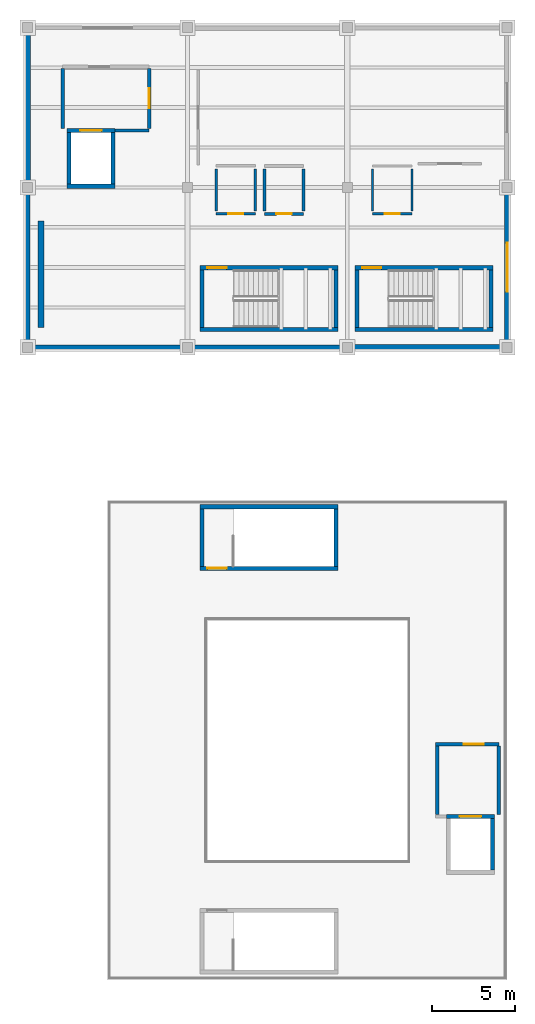
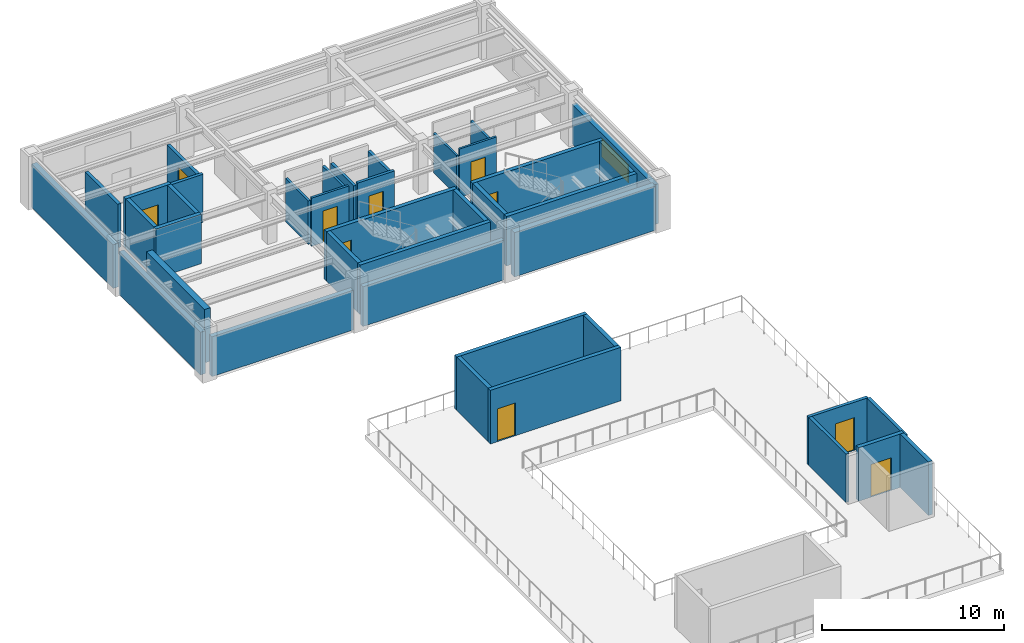
# One storey, part 2 of 6: 40 walls, 10 doors, 1 window, 11 openings.
"""IFC4 building model written with IfcOpenShell, lengths in metres."""

import ifcopenshell
import ifcopenshell.guid

model = None  # the IFC model being written
_history = None  # IfcOwnerHistory: only IFC2X3 demands one
_inside = {}  # id of a spatial element -> (the spatial element, [elements in it])
_under = {}  # id of a project, library or spatial element -> (it, [spatial elements below it])
_declared = {}  # id of a project -> (the project, [libraries it declares])
_typed = {}  # id of a type object -> (the type object, [elements of that type])
_made_of = {}  # id of a material, layer set ... -> (it, [elements and type objects made of it])


def new_model(schema):
    """Start an empty IFC model of exactly this schema.

    Asked for "IFC4X3", IfcOpenShell would pick the latest addendum, in which some entities
    have other attributes; the version numbers below select the first issue.
    IFC2X3 requires an IfcOwnerHistory on every rooted entity: one is made here for all.
    """
    global model, _history
    if schema == "IFC4X3":
        model = ifcopenshell.file(schema_version=(4, 3, 0, 0))
    else:
        model = ifcopenshell.file(schema=schema)
    _inside.clear()
    _under.clear()
    _declared.clear()
    _typed.clear()
    _made_of.clear()
    _history = None
    if model.schema == "IFC2X3":
        org = make("IfcOrganization", Name="unknown")
        user = make(
            "IfcPersonAndOrganization",
            ThePerson=make("IfcPerson", FamilyName="unknown"),
            TheOrganization=org,
        )
        app = make(
            "IfcApplication",
            ApplicationDeveloper=org,
            Version="unknown",
            ApplicationFullName="unknown",
            ApplicationIdentifier="unknown",
        )
        _history = make(
            "IfcOwnerHistory",
            OwningUser=user,
            OwningApplication=app,
            ChangeAction="ADDED",
            CreationDate=0,
        )
    return model


def make(cls, **values):
    """One entity of the class cls with the attributes given. An attribute that is None is left unset."""
    return model.create_entity(
        cls, **{name: value for name, value in values.items() if value is not None}
    )


def rooted(cls, **values):
    """An entity with a GlobalId (a new one), such as an element, a storey or a relation."""
    return make(cls, GlobalId=ifcopenshell.guid.new(), OwnerHistory=_history, **values)


def si_unit(unit_type, name, prefix=None):
    """IfcSIUnit, for example si_unit("LENGTHUNIT", "METRE", prefix="MILLI")."""
    return make("IfcSIUnit", UnitType=unit_type, Prefix=prefix, Name=name)


def assignment(units):
    """IfcUnitAssignment: the units of a project."""
    return None if units is None else make("IfcUnitAssignment", Units=units)


def point(xyz):
    """IfcCartesianPoint."""
    return None if xyz is None else make("IfcCartesianPoint", Coordinates=xyz)


def direction(xyz):
    """IfcDirection."""
    return None if xyz is None else make("IfcDirection", DirectionRatios=xyz)


def frame(location, z_axis=None, x_axis=None):
    """IfcAxis2Placement3D, a coordinate frame: its origin and axes. An axis left out is left unset."""
    return make(
        "IfcAxis2Placement3D",
        Location=point(location),
        Axis=direction(z_axis),
        RefDirection=direction(x_axis),
    )


def frame_2d(location, x_axis=None):
    """IfcAxis2Placement2D, a coordinate frame in the plane: its origin and x axis."""
    return make(
        "IfcAxis2Placement2D", Location=point(location), RefDirection=direction(x_axis)
    )


def origin():
    """The frame at (0, 0, 0) with its axes left unset."""
    return frame((0.0, 0.0, 0.0))


def place(relative_to, where):
    """IfcLocalPlacement: puts the frame where relative to a parent placement (None: the world)."""
    return make(
        "IfcLocalPlacement", PlacementRelTo=relative_to, RelativePlacement=where
    )


def context(
    kind, dimensions, precision=None, world=None, true_north=None, identifier=None
):
    """IfcGeometricRepresentationContext, for example the 3D "Model" context."""
    return make(
        "IfcGeometricRepresentationContext",
        ContextIdentifier=identifier,
        ContextType=kind,
        CoordinateSpaceDimension=dimensions,
        Precision=precision,
        WorldCoordinateSystem=world,
        TrueNorth=true_north,
    )


def subcontext(parent, identifier, kind, view, scale=None):
    """IfcGeometricRepresentationSubContext, for example "Body" below "Model"."""
    return make(
        "IfcGeometricRepresentationSubContext",
        ContextIdentifier=identifier,
        ContextType=kind,
        ParentContext=parent,
        TargetScale=scale,
        TargetView=view,
    )


def project(units=None, contexts=None):
    """IfcProject with its units and contexts."""
    return rooted(
        "IfcProject",
        Name="project",
        RepresentationContexts=contexts,
        UnitsInContext=assignment(units),
    )


def spatial(cls, under=None, at=None, **own):
    """A site, building, storey or space (cls), placed at a placement, below another one or the project."""
    s = rooted(cls, ObjectPlacement=at, **own)
    if under is not None:
        _under.setdefault(under.id(), (under, []))[1].append(s)
    return s


def profile(cls, at=None, kind="AREA", **sizes):
    """A parametric profile (cls). Its sizes go by their IFC names, for example OverallWidth=200.0."""
    return make(cls, ProfileType=kind, Position=at, **sizes)


def rectangle(**sizes):
    """IfcRectangleProfileDef."""
    return profile("IfcRectangleProfileDef", **sizes)


def extrude(swept, where, along, depth):
    """IfcExtrudedAreaSolid: the profile swept, set in the frame where, extruded along a direction by depth."""
    return make(
        "IfcExtrudedAreaSolid",
        SweptArea=swept,
        Position=where,
        ExtrudedDirection=direction(along),
        Depth=depth,
    )


def shape(context_of_items, identifier, shape_type, items):
    """IfcShapeRepresentation: the items that make up one representation, for example the "Body"."""
    return make(
        "IfcShapeRepresentation",
        ContextOfItems=context_of_items,
        RepresentationIdentifier=identifier,
        RepresentationType=shape_type,
        Items=items,
    )


def material(Name=None, Category=None):
    """IfcMaterial."""
    return make("IfcMaterial", Name=Name, Category=Category)


def layer(
    of_material, thickness, ventilated=None, Name=None, Category=None, Priority=None
):
    """IfcMaterialLayer: one layer of a wall or slab, of a material (None: an air gap)."""
    return make(
        "IfcMaterialLayer",
        Material=of_material,
        LayerThickness=thickness,
        IsVentilated=ventilated,
        Name=Name,
        Category=Category,
        Priority=Priority,
    )


def layer_set(layers, Name=None):
    """IfcMaterialLayerSet."""
    return make("IfcMaterialLayerSet", MaterialLayers=layers, LayerSetName=Name)


def made_of(thing, what):
    """Note that an element or type object is made of a material, layer set ...; save() writes the relation."""
    if what is not None:
        _made_of.setdefault(what.id(), (what, []))[1].append(thing)
    return thing


def type_object(cls, material=None, **own):
    """A type object (cls), such as IfcWallType, which elements share."""
    return made_of(rooted(cls, **own), material)


def element(
    cls,
    number,
    at=None,
    inside=None,
    cuts=None,
    type_object=None,
    material=None,
    context=None,
    identifier="Body",
    shape_type=None,
    held_by="IfcProductDefinitionShape",
    body=None,
    shapes=None,
    **own,
):
    """One element of the class cls, such as IfcWall. Its Tag is "e" and its number.

    at: its placement. inside: the storey or other place that contains it. cuts: it is an
    opening in that element (IfcRelVoidsElement). A single representation is given by context,
    identifier, shape_type and body (its items); several are given by shapes. held_by: the class
    of the entity that holds the representations. save() writes the other relations.
    """
    e = rooted(cls, Tag="e%d" % number, ObjectPlacement=at, **own)
    if body is not None:
        shapes = [shape(context, identifier, shape_type, body)]
    if shapes is not None:
        e.Representation = make(held_by, Representations=shapes)
    if inside is not None:
        _inside.setdefault(inside.id(), (inside, []))[1].append(e)
    if cuts is not None:
        rooted(
            "IfcRelVoidsElement", RelatingBuildingElement=cuts, RelatedOpeningElement=e
        )
    if type_object is not None:
        _typed.setdefault(type_object.id(), (type_object, []))[1].append(e)
    return made_of(e, material)


def fill(opening, filler):
    """IfcRelFillsElement: the door or window that sits in an opening."""
    return rooted(
        "IfcRelFillsElement",
        RelatingOpeningElement=opening,
        RelatedBuildingElement=filler,
    )


def aggregate(whole, parts):
    """IfcRelAggregates: a whole, such as a stair, and the parts it consists of."""
    return rooted("IfcRelAggregates", RelatingObject=whole, RelatedObjects=parts)


def save(model, path):
    """Write the relations noted so far, then the file.

    IfcRelAggregates (storeys below a building ...), IfcRelContainedInSpatialStructure (elements
    in a storey), IfcRelDefinesByType, IfcRelAssociatesMaterial and IfcRelDeclares: one each for
    every whole, place, type object, material and project.
    """
    for whole, parts in _under.values():
        aggregate(whole, parts)
    for where, things in _inside.values():
        rooted(
            "IfcRelContainedInSpatialStructure",
            RelatedElements=things,
            RelatingStructure=where,
        )
    for kind, things in _typed.values():
        rooted("IfcRelDefinesByType", RelatedObjects=things, RelatingType=kind)
    for what, things in _made_of.values():
        rooted("IfcRelAssociatesMaterial", RelatedObjects=things, RelatingMaterial=what)
    for by, libraries in _declared.values():
        rooted("IfcRelDeclares", RelatingContext=by, RelatedDefinitions=libraries)
    model.write(path)


model = new_model("IFC4")

# Units and contexts
model_context = context("Model", 3, precision=1e-05, world=origin(), true_north=direction((0.0, 1.0)))
body_context = subcontext(model_context, "Body", "Model", "MODEL_VIEW")
ifc_project = project(units=[si_unit("LENGTHUNIT", "METRE"), si_unit("AREAUNIT", "SQUARE_METRE"), si_unit("VOLUMEUNIT", "CUBIC_METRE"), si_unit("PLANEANGLEUNIT", "RADIAN"), si_unit("MASSUNIT", "GRAM", prefix="KILO")], contexts=[model_context])

# Site, building, storey
site_placement = place(None, origin())
site = spatial("IfcSite", under=ifc_project, at=site_placement, CompositionType="ELEMENT")
building_placement = place(site_placement, origin())
building = spatial("IfcBuilding", under=site, at=building_placement, Name="Mavantir Sound Aquarium", CompositionType="ELEMENT")
storey_placement = place(building_placement, frame((0.0, 0.0, 19.800048828125)))
storey = spatial("IfcBuildingStorey", under=building, at=storey_placement, Name="L04", CompositionType="ELEMENT", Elevation=19.800048828125)

# Wall, opening, window
ifc_material_1 = material(Name="Coral-Buff Architectural Precast Concrete C40/50", Category="concrete")
ifc_layer_1 = layer(ifc_material_1, 0.31005859375, Name="Coral-Buff Architectural Precast Concrete C40/50")
ifc_layer_set_1 = layer_set([ifc_layer_1], Name="Coral-Buff Architectural Precast Concrete C40/50")
wall_type_1 = type_object("IfcWallType", Name="EW-CORAL-310", PredefinedType="SOLIDWALL", material=ifc_layer_set_1)
wall_1_placement = place(storey_placement, frame((28.800048828125, 83.907958984375, 0.0), z_axis=(0.0, 0.0, 1.0), x_axis=(0.0, 1.0, 0.0)))
wall_1 = element("IfcWall", 1, at=wall_1_placement, inside=storey, type_object=wall_type_1, Name="L04 exterior facade wall EW-02 386", PredefinedType="SOLIDWALL", context=body_context, shape_type="SweptSolid", body=[
    extrude(rectangle(XDim=8.984130859375, YDim=0.31005859375, at=frame_2d((4.4921875, 0.0))), origin(), (0.0, 0.0, 1.0), 2.674072265625),
])
opening_1_placement = place(wall_1_placement, frame((3.01708984375, 0.0, 0.949951171875)))
opening_1 = element("IfcOpeningElement", 2, at=opening_1_placement, cuts=wall_1, Name="Opening W-41", PredefinedType="OPENING", context=body_context, shape_type="SweptSolid", body=[
    extrude(rectangle(XDim=2.949951171875, YDim=1.199951171875, at=frame_2d((1.47509765625, 0.60009765625))), frame((0.0, 0.1650390625, 0.0), z_axis=(0.0, -1.0, 0.0), x_axis=(1.0, 0.0, 0.0)), (0.0, 0.0, 1.0), 0.330078125),
])
ifc_material_2 = material(Name="Thermally Broken Aluminium and Low-E Glass", Category="aluminium")
window_type = type_object("IfcWindowType", Name="WIN-EXT-41", PartitioningType="TRIPLE_PANEL_VERTICAL", PredefinedType="WINDOW", material=ifc_material_2)
window_placement = place(opening_1_placement, origin())
window = element("IfcWindow", 3, at=window_placement, inside=storey, type_object=window_type, Name="L04 facade window W-41 185", OverallHeight=1.199951171875, OverallWidth=2.949951171875, PartitioningType="SINGLE_PANEL", PredefinedType="WINDOW", context=body_context, shape_type="SweptSolid", body=[
    extrude(rectangle(XDim=2.949951171875, YDim=1.199951171875, at=frame_2d((1.47509765625, 0.60009765625))), frame((0.0, 0.030029296875, 0.0), z_axis=(0.0, -1.0, 0.0), x_axis=(1.0, 0.0, 0.0)), (0.0, 0.0, 1.0), 0.06005859375),
])
fill(opening_1, window)

# Walls
wall_2_placement = place(storey_placement, frame((0.0, 92.89208984375, 0.0), z_axis=(0.0, 0.0, 1.0), x_axis=(0.0, -1.0, 0.0)))
element("IfcWall", 4, at=wall_2_placement, inside=storey, type_object=wall_type_1, Name="L04 exterior facade wall EW-02 392", PredefinedType="SOLIDWALL", context=body_context, shape_type="SweptSolid", body=[
    extrude(rectangle(XDim=8.984130859375, YDim=0.31005859375, at=frame_2d((4.4921875, 0.0))), origin(), (0.0, 0.0, 1.0), 2.868896484375),
])
ifc_layer_2 = layer(ifc_material_1, 0.340087890625, Name="Coral-Buff Architectural Precast Concrete C40/50")
ifc_layer_set_2 = layer_set([ifc_layer_2], Name="Coral-Buff Architectural Precast Concrete C40/50")
wall_type_2 = type_object("IfcWallType", Name="EW-CORAL-340", PredefinedType="SOLIDWALL", material=ifc_layer_set_2)
wall_3_placement = place(storey_placement, frame((0.0, 102.491943359375, 0.0), z_axis=(0.0, 0.0, 1.0), x_axis=(0.0, -1.0, 0.0)))
element("IfcWall", 5, at=wall_3_placement, inside=storey, type_object=wall_type_2, Name="L04 exterior facade wall EW-01 391", PredefinedType="SOLIDWALL", context=body_context, shape_type="SweptSolid", body=[
    extrude(rectangle(XDim=8.98388671875, YDim=0.340087890625, at=frame_2d((4.491943359375, 0.0))), origin(), (0.0, 0.0, 1.0), 2.932861328125),
])
ifc_layer_3 = layer(ifc_material_1, 0.360107421875, Name="Coral-Buff Architectural Precast Concrete C40/50")
ifc_layer_set_3 = layer_set([ifc_layer_3], Name="Coral-Buff Architectural Precast Concrete C40/50")
wall_type_3 = type_object("IfcWallType", Name="EW-PRE-360", PredefinedType="SOLIDWALL", material=ifc_layer_set_3)
wall_4_placement = place(storey_placement, frame((19.508056640625, 83.60009765625, 0.0), z_axis=(0.0, 0.0, 1.0), x_axis=(1.0, 0.0, 0.0)))
element("IfcWall", 6, at=wall_4_placement, inside=storey, type_object=wall_type_3, Name="L04 exterior facade wall EW-05 395", PredefinedType="SOLIDWALL", context=body_context, shape_type="SweptSolid", body=[
    extrude(rectangle(XDim=8.98388671875, YDim=0.360107421875, at=frame_2d((4.491943359375, 0.0))), origin(), (0.0, 0.0, 1.0), 2.97802734375),
])
ifc_material_3 = material(Name="Cerulean Glazed Terracotta Rainscreen on Concrete C40/50", Category="masonry")
ifc_layer_4 = layer(ifc_material_3, 0.27001953125, Name="Cerulean Glazed Terracotta Rainscreen on Concrete C40/50")
ifc_layer_set_4 = layer_set([ifc_layer_4], Name="Cerulean Glazed Terracotta Rainscreen on Concrete C40/50")
wall_type_4 = type_object("IfcWallType", Name="EW-TERRA-270", PredefinedType="SOLIDWALL", material=ifc_layer_set_4)
wall_5_placement = place(storey_placement, frame((9.907958984375, 83.60009765625, 0.0), z_axis=(0.0, 0.0, 1.0), x_axis=(1.0, 0.0, 0.0)))
element("IfcWall", 7, at=wall_5_placement, inside=storey, type_object=wall_type_4, Name="L04 exterior facade wall EW-04 394", PredefinedType="SOLIDWALL", context=body_context, shape_type="SweptSolid", body=[
    extrude(rectangle(XDim=8.984130859375, YDim=0.27001953125, at=frame_2d((4.4921875, 0.0))), origin(), (0.0, 0.0, 1.0), 2.675048828125),
])
ifc_material_4 = material(Name="Turquoise Glazed Terracotta Rainscreen on Concrete C40/50", Category="masonry")
ifc_layer_5 = layer(ifc_material_4, 0.2900390625, Name="Turquoise Glazed Terracotta Rainscreen on Concrete C40/50")
ifc_layer_set_5 = layer_set([ifc_layer_5], Name="Turquoise Glazed Terracotta Rainscreen on Concrete C40/50")
wall_type_5 = type_object("IfcWallType", Name="EW-TERRA-290", PredefinedType="SOLIDWALL", material=ifc_layer_set_5)
wall_6_placement = place(storey_placement, frame((0.30810546875, 83.60009765625, 0.0), z_axis=(0.0, 0.0, 1.0), x_axis=(1.0, 0.0, 0.0)))
element("IfcWall", 8, at=wall_6_placement, inside=storey, type_object=wall_type_5, Name="L04 exterior facade wall EW-03 393", PredefinedType="SOLIDWALL", context=body_context, shape_type="SweptSolid", body=[
    extrude(rectangle(XDim=8.98388671875, YDim=0.2900390625, at=frame_2d((4.491943359375, 0.0))), origin(), (0.0, 0.0, 1.0), 2.675048828125),
])

# Wall, opening, door
ifc_material_5 = material(Name="Concrete C40/50", Category="concrete")
ifc_layer_6 = layer(ifc_material_5, 0.199951171875, Name="Concrete C40/50")
ifc_layer_set_6 = layer_set([ifc_layer_6], Name="Concrete C40/50")
wall_type_6 = type_object("IfcWallType", Name="IW-FFL-200", PredefinedType="PARTITIONING", material=ifc_layer_set_6)
wall_7_placement = place(storey_placement, frame((24.5, 59.75, 0.0), z_axis=(0.0, 0.0, 1.0), x_axis=(1.0, 0.0, 0.0)))
wall_7 = element("IfcWall", 9, at=wall_7_placement, inside=storey, type_object=wall_type_6, Name="L04 firefighting lift lobby LC1 wall N", PredefinedType="PARTITIONING", context=body_context, shape_type="SweptSolid", body=[
    extrude(rectangle(XDim=3.800048828125, YDim=0.199951171875, at=frame_2d((1.89990234375, 0.0))), origin(), (0.0, 0.0, 1.0), 3.239990234375),
])
opening_2_placement = place(wall_7_placement, frame((1.699951171875, 0.0, 0.0)))
opening_2 = element("IfcOpeningElement", 10, at=opening_2_placement, cuts=wall_7, Name="Opening FD-01", PredefinedType="OPENING", context=body_context, shape_type="SweptSolid", body=[
    extrude(rectangle(XDim=1.199951171875, YDim=2.199951171875, at=frame_2d((0.60009765625, 1.10009765625))), frame((0.0, 0.10986328125, 0.0), z_axis=(0.0, -1.0, 0.0), x_axis=(1.0, 0.0, 0.0)), (0.0, 0.0, 1.0), 0.219970703125),
])
ifc_material_6 = material(Name="Fire-Rated Steel Lobby Door Leaf", Category="steel")
door_type_1 = type_object("IfcDoorType", Name="DR-FFL-120", OperationType="NOTDEFINED", PredefinedType="DOOR", material=ifc_material_6)
door_1_placement = place(opening_2_placement, origin())
door_1 = element("IfcDoor", 11, at=door_1_placement, inside=storey, type_object=door_type_1, Name="L04 firefighting lobby LC1 accommodation door", OperationType="SINGLE_SWING_LEFT", OverallHeight=2.199951171875, OverallWidth=1.199951171875, PredefinedType="DOOR", context=body_context, shape_type="SweptSolid", body=[
    extrude(rectangle(XDim=1.199951171875, YDim=2.199951171875, at=frame_2d((0.60009765625, 1.10009765625))), frame((0.0, 0.02490234375, 0.0), z_axis=(0.0, -1.0, 0.0), x_axis=(1.0, 0.0, 0.0)), (0.0, 0.0, 1.0), 0.050048828125),
])
fill(opening_2, door_1)

# Walls
for number, where, z_axis, x_axis, name in (
    (12, (24.60009765625, 55.550048828125, 0.0), (0.0, 0.0, 1.0), (0.0, 1.0, 0.0), "L04 firefighting lift lobby LC1 wall W"),
    (13, (28.300048828125, 55.550048828125, 0.0), (0.0, 0.0, 1.0), (0.0, 1.0, 0.0), "L04 firefighting lift lobby LC1 wall E"),
):
    element("IfcWall", number, at=place(storey_placement, frame(where, z_axis=z_axis, x_axis=x_axis)), inside=storey, type_object=wall_type_6, Name=name, PredefinedType="PARTITIONING", context=body_context, shape_type="SweptSolid", body=[
        extrude(rectangle(XDim=4.099853515625, YDim=0.199951171875, at=frame_2d((2.0498046875, 0.0))), origin(), (0.0, 0.0, 1.0), 3.239990234375),
    ])
wall_8_placement = place(storey_placement, frame((2.10009765625, 96.75, 0.0), z_axis=(0.0, 0.0, 1.0), x_axis=(0.0, 1.0, 0.0)))
element("IfcWall", 14, at=wall_8_placement, inside=storey, type_object=wall_type_6, Name="L04 firefighting lift lobby LC2 wall W", PredefinedType="PARTITIONING", context=body_context, shape_type="SweptSolid", body=[
    extrude(rectangle(XDim=3.60009765625, YDim=0.199951171875, at=frame_2d((1.800048828125, 0.0))), origin(), (0.0, 0.0, 1.0), 2.932861328125),
])

# Wall, opening, door
wall_9_placement = place(storey_placement, frame((7.300048828125, 96.75, 0.0), z_axis=(0.0, 0.0, 1.0), x_axis=(0.0, 1.0, 0.0)))
wall_9 = element("IfcWall", 15, at=wall_9_placement, inside=storey, type_object=wall_type_6, Name="L04 firefighting lift lobby LC2 wall E", PredefinedType="PARTITIONING", context=body_context, shape_type="SweptSolid", body=[
    extrude(rectangle(XDim=3.60009765625, YDim=0.199951171875, at=frame_2d((1.800048828125, 0.0))), origin(), (0.0, 0.0, 1.0), 2.932861328125),
])
opening_3_placement = place(wall_9_placement, frame((1.199951171875, 0.0, 0.0)))
opening_3 = element("IfcOpeningElement", 16, at=opening_3_placement, cuts=wall_9, Name="Opening FD-01", PredefinedType="OPENING", context=body_context, shape_type="SweptSolid", body=[
    extrude(rectangle(XDim=1.199951171875, YDim=2.199951171875, at=frame_2d((0.60009765625, 1.10009765625))), frame((0.0, 0.10986328125, 0.0), z_axis=(0.0, -1.0, 0.0), x_axis=(1.0, 0.0, 0.0)), (0.0, 0.0, 1.0), 0.219970703125),
])
door_2_placement = place(opening_3_placement, origin())
door_2 = element("IfcDoor", 17, at=door_2_placement, inside=storey, type_object=door_type_1, Name="L04 firefighting lobby LC2 stair-access door", OperationType="SINGLE_SWING_RIGHT", OverallHeight=2.199951171875, OverallWidth=1.199951171875, PredefinedType="DOOR", context=body_context, shape_type="SweptSolid", body=[
    extrude(rectangle(XDim=1.199951171875, YDim=2.199951171875, at=frame_2d((0.60009765625, 1.10009765625))), frame((0.0, 0.02490234375, 0.0), z_axis=(0.0, -1.0, 0.0), x_axis=(1.0, 0.0, 0.0)), (0.0, 0.0, 1.0), 0.050048828125),
])
fill(opening_3, door_2)

# Wall
wall_10_placement = place(storey_placement, frame((5.25, 96.625, 0.0), z_axis=(0.0, 0.0, 1.0), x_axis=(1.0, 0.0, 0.0)))
element("IfcWall", 18, at=wall_10_placement, inside=storey, type_object=wall_type_6, Name="L04 firefighting lift lobby LC2 return SE", PredefinedType="PARTITIONING", context=body_context, shape_type="SweptSolid", body=[
    extrude(rectangle(XDim=2.050048828125, YDim=0.199951171875, at=frame_2d((1.02490234375, 0.0))), origin(), (0.0, 0.0, 1.0), 3.239990234375),
])

# Wall, opening, door
ifc_material_7 = material(Name="Acoustic Metal-Stud Gypsum Partition", Category="gypsum")
ifc_layer_7 = layer(ifc_material_7, 0.1298828125, Name="Acoustic Metal-Stud Gypsum Partition")
ifc_layer_set_7 = layer_set([ifc_layer_7], Name="Acoustic Metal-Stud Gypsum Partition")
wall_type_7 = type_object("IfcWallType", Name="IW-PART-130", PredefinedType="PARTITIONING", material=ifc_layer_set_7)
wall_11_placement = place(storey_placement, frame((20.719970703125, 91.6201171875, 0.0), z_axis=(0.0, 0.0, 1.0), x_axis=(1.0, 0.0, 0.0)))
wall_11 = element("IfcWall", 19, at=wall_11_placement, inside=storey, type_object=wall_type_7, Name="L04 L04 Accessible WC partition S", PredefinedType="PARTITIONING", context=body_context, shape_type="SweptSolid", body=[
    extrude(rectangle(XDim=2.360107421875, YDim=0.1298828125, at=frame_2d((1.18017578125, 0.0))), origin(), (0.0, 0.0, 1.0), 3.239990234375),
])
opening_4_placement = place(wall_11_placement, frame((0.719970703125, 0.0, 0.0)))
opening_4 = element("IfcOpeningElement", 20, at=opening_4_placement, cuts=wall_11, Name="Opening ID-01", PredefinedType="OPENING", context=body_context, shape_type="SweptSolid", body=[
    extrude(rectangle(XDim=0.919921875, YDim=2.1201171875, at=frame_2d((0.4599609375, 1.06005859375))), frame((0.0, 0.074951171875, 0.0), z_axis=(0.0, -1.0, 0.0), x_axis=(1.0, 0.0, 0.0)), (0.0, 0.0, 1.0), 0.14990234375),
])
ifc_material_8 = material(Name="Solid-Core Marine Hardwood and Vision-Panel Door", Category="wood")
door_type_2 = type_object("IfcDoorType", Name="DR-INT-01", OperationType="NOTDEFINED", PredefinedType="DOOR", material=ifc_material_8)
door_3_placement = place(opening_4_placement, origin())
door_3 = element("IfcDoor", 21, at=door_3_placement, inside=storey, type_object=door_type_2, Name="L04 Accessible WC entrance door", OperationType="SINGLE_SWING_RIGHT", OverallHeight=2.1201171875, OverallWidth=0.919921875, PredefinedType="DOOR", context=body_context, shape_type="SweptSolid", body=[
    extrude(rectangle(XDim=0.919921875, YDim=2.1201171875, at=frame_2d((0.4599609375, 1.06005859375))), frame((0.0, 0.02490234375, 0.0), z_axis=(0.0, -1.0, 0.0), x_axis=(1.0, 0.0, 0.0)), (0.0, 0.0, 1.0), 0.050048828125),
])
fill(opening_4, door_3)

# Walls
for number, where, z_axis, x_axis, name in (
    (22, (20.719970703125, 91.800048828125, 0.0), (0.0, 0.0, 1.0), (0.0, 1.0, 0.0), "L04 L04 Accessible WC partition W"),
    (23, (23.080078125, 91.800048828125, 0.0), (0.0, 0.0, 1.0), (0.0, 1.0, 0.0), "L04 L04 Accessible WC partition E"),
):
    element("IfcWall", number, at=place(storey_placement, frame(where, z_axis=z_axis, x_axis=x_axis)), inside=storey, type_object=wall_type_7, Name=name, PredefinedType="PARTITIONING", context=body_context, shape_type="SweptSolid", body=[
        extrude(rectangle(XDim=2.52001953125, YDim=0.1298828125, at=frame_2d((1.260009765625, 0.0))), origin(), (0.0, 0.0, 1.0), 2.674072265625),
    ])

# Wall, opening, door
ifc_material_9 = material(Name="Moisture-Resistant Marine Gypsum Partition", Category="gypsum")
ifc_layer_8 = layer(ifc_material_9, 0.14990234375, Name="Moisture-Resistant Marine Gypsum Partition")
ifc_layer_set_8 = layer_set([ifc_layer_8], Name="Moisture-Resistant Marine Gypsum Partition")
wall_type_8 = type_object("IfcWallType", Name="IW-PART-150", PredefinedType="PARTITIONING", material=ifc_layer_set_8)
wall_12_placement = place(storey_placement, frame((11.320068359375, 91.6201171875, 0.0), z_axis=(0.0, 0.0, 1.0), x_axis=(1.0, 0.0, 0.0)))
wall_12 = element("IfcWall", 24, at=wall_12_placement, inside=storey, type_object=wall_type_8, Name="L04 L04 Mens WC partition S", PredefinedType="PARTITIONING", context=body_context, shape_type="SweptSolid", body=[
    extrude(rectangle(XDim=2.35986328125, YDim=0.14990234375, at=frame_2d((1.179931640625, 0.0))), origin(), (0.0, 0.0, 1.0), 3.239990234375),
])
opening_5_placement = place(wall_12_placement, frame((0.719970703125, 0.0, 0.0)))
opening_5 = element("IfcOpeningElement", 25, at=opening_5_placement, cuts=wall_12, Name="Opening ID-01", PredefinedType="OPENING", context=body_context, shape_type="SweptSolid", body=[
    extrude(rectangle(XDim=0.919921875, YDim=2.1201171875, at=frame_2d((0.4599609375, 1.06005859375))), frame((0.0, 0.0849609375, 0.0), z_axis=(0.0, -1.0, 0.0), x_axis=(1.0, 0.0, 0.0)), (0.0, 0.0, 1.0), 0.169921875),
])
door_4_placement = place(opening_5_placement, origin())
door_4 = element("IfcDoor", 26, at=door_4_placement, inside=storey, type_object=door_type_2, Name="L04 Mens WC entrance door", OperationType="SINGLE_SWING_RIGHT", OverallHeight=2.1201171875, OverallWidth=0.919921875, PredefinedType="DOOR", context=body_context, shape_type="SweptSolid", body=[
    extrude(rectangle(XDim=0.919921875, YDim=2.1201171875, at=frame_2d((0.4599609375, 1.06005859375))), frame((0.0, 0.02490234375, 0.0), z_axis=(0.0, -1.0, 0.0), x_axis=(1.0, 0.0, 0.0)), (0.0, 0.0, 1.0), 0.050048828125),
])
fill(opening_5, door_4)

# Walls
for number, where, z_axis, x_axis, name in (
    (27, (11.320068359375, 91.800048828125, 0.0), (0.0, 0.0, 1.0), (0.0, 1.0, 0.0), "L04 L04 Mens WC partition W"),
    (28, (13.679931640625, 91.800048828125, 0.0), (0.0, 0.0, 1.0), (0.0, 1.0, 0.0), "L04 L04 Mens WC partition E"),
):
    element("IfcWall", number, at=place(storey_placement, frame(where, z_axis=z_axis, x_axis=x_axis)), inside=storey, type_object=wall_type_8, Name=name, PredefinedType="PARTITIONING", context=body_context, shape_type="SweptSolid", body=[
        extrude(rectangle(XDim=2.52001953125, YDim=0.14990234375, at=frame_2d((1.260009765625, 0.0))), origin(), (0.0, 0.0, 1.0), 2.9228515625),
    ])

# Wall, opening, door
ifc_layer_9 = layer(ifc_material_7, 0.179931640625, Name="Acoustic Metal-Stud Gypsum Partition")
ifc_layer_set_9 = layer_set([ifc_layer_9], Name="Acoustic Metal-Stud Gypsum Partition")
wall_type_9 = type_object("IfcWallType", Name="IW-PART-180", PredefinedType="PARTITIONING", material=ifc_layer_set_9)
wall_13_placement = place(storey_placement, frame((14.219970703125, 91.6201171875, 0.0), z_axis=(0.0, 0.0, 1.0), x_axis=(1.0, 0.0, 0.0)))
wall_13 = element("IfcWall", 29, at=wall_13_placement, inside=storey, type_object=wall_type_9, Name="L04 L04 Womens WC partition S", PredefinedType="PARTITIONING", context=body_context, shape_type="SweptSolid", body=[
    extrude(rectangle(XDim=2.360107421875, YDim=0.179931640625, at=frame_2d((1.18017578125, 0.0))), origin(), (0.0, 0.0, 1.0), 3.239990234375),
])
opening_6_placement = place(wall_13_placement, frame((0.719970703125, 0.0, 0.0)))
opening_6 = element("IfcOpeningElement", 30, at=opening_6_placement, cuts=wall_13, Name="Opening ID-01", PredefinedType="OPENING", context=body_context, shape_type="SweptSolid", body=[
    extrude(rectangle(XDim=0.919921875, YDim=2.1201171875, at=frame_2d((0.4599609375, 1.06005859375))), frame((0.0, 0.10009765625, 0.0), z_axis=(0.0, -1.0, 0.0), x_axis=(1.0, 0.0, 0.0)), (0.0, 0.0, 1.0), 0.199951171875),
])
door_5_placement = place(opening_6_placement, origin())
door_5 = element("IfcDoor", 31, at=door_5_placement, inside=storey, type_object=door_type_2, Name="L04 Womens WC entrance door", OperationType="SINGLE_SWING_LEFT", OverallHeight=2.1201171875, OverallWidth=0.919921875, PredefinedType="DOOR", context=body_context, shape_type="SweptSolid", body=[
    extrude(rectangle(XDim=0.919921875, YDim=2.1201171875, at=frame_2d((0.4599609375, 1.06005859375))), frame((0.0, 0.02490234375, 0.0), z_axis=(0.0, -1.0, 0.0), x_axis=(1.0, 0.0, 0.0)), (0.0, 0.0, 1.0), 0.050048828125),
])
fill(opening_6, door_5)

# Walls
for number, where, z_axis, x_axis, name in (
    (32, (14.219970703125, 91.800048828125, 0.0), (0.0, 0.0, 1.0), (0.0, 1.0, 0.0), "L04 L04 Womens WC partition W"),
    (33, (16.580078125, 91.800048828125, 0.0), (0.0, 0.0, 1.0), (0.0, 1.0, 0.0), "L04 L04 Womens WC partition E"),
):
    element("IfcWall", number, at=place(storey_placement, frame(where, z_axis=z_axis, x_axis=x_axis)), inside=storey, type_object=wall_type_9, Name=name, PredefinedType="PARTITIONING", context=body_context, shape_type="SweptSolid", body=[
        extrude(rectangle(XDim=2.52001953125, YDim=0.179931640625, at=frame_2d((1.260009765625, 0.0))), origin(), (0.0, 0.0, 1.0), 2.9228515625),
    ])

# Wall, opening, door
ifc_layer_10 = layer(ifc_material_5, 0.25, Name="Concrete C40/50")
ifc_layer_set_10 = layer_set([ifc_layer_10], Name="Concrete C40/50")
wall_type_10 = type_object("IfcWallType", Name="IW-SHAFT-250", PredefinedType="SHEAR", material=ifc_layer_set_10)
wall_14_placement = place(storey_placement, frame((10.35009765625, 70.324951171875, 0.0), z_axis=(0.0, 0.0, 1.0), x_axis=(1.0, 0.0, 0.0)))
wall_14 = element("IfcWall", 34, at=wall_14_placement, inside=storey, type_object=wall_type_10, Name="L04 stair ST10 shaft wall S", PredefinedType="SHEAR", context=body_context, shape_type="SweptSolid", body=[
    extrude(rectangle(XDim=8.2998046875, YDim=0.25, at=frame_2d((4.14990234375, 0.0))), origin(), (0.0, 0.0, 1.0), 3.599853515625),
])
opening_7_placement = place(wall_14_placement, frame((1.599853515625, 0.0, 0.0), z_axis=(0.0, 0.0, 1.0), x_axis=(-1.0, 0.0, 0.0)))
opening_7 = element("IfcOpeningElement", 35, at=opening_7_placement, cuts=wall_14, Name="Opening SD-02", PredefinedType="OPENING", context=body_context, shape_type="SweptSolid", body=[
    extrude(rectangle(XDim=1.14990234375, YDim=2.199951171875, at=frame_2d((0.574951171875, 1.10009765625))), frame((0.0, 0.135009765625, 0.0), z_axis=(0.0, -1.0, 0.0), x_axis=(1.0, 0.0, 0.0)), (0.0, 0.0, 1.0), 0.27001953125),
])
ifc_material_10 = material(Name="Fire-Rated Steel Acoustic Door Leaf", Category="steel")
door_type_3 = type_object("IfcDoorType", Name="DR-ST-115", OperationType="NOTDEFINED", PredefinedType="DOOR", material=ifc_material_10)
door_6_placement = place(opening_7_placement, origin())
door_6 = element("IfcDoor", 36, at=door_6_placement, inside=storey, type_object=door_type_3, Name="L04 protected exit stair ST10 door", OperationType="SINGLE_SWING_RIGHT", OverallHeight=2.199951171875, OverallWidth=1.14990234375, PredefinedType="DOOR", context=body_context, shape_type="SweptSolid", body=[
    extrude(rectangle(XDim=1.14990234375, YDim=2.199951171875, at=frame_2d((0.574951171875, 1.10009765625))), frame((0.0, 0.02490234375, 0.0), z_axis=(0.0, -1.0, 0.0), x_axis=(1.0, 0.0, 0.0)), (0.0, 0.0, 1.0), 0.050048828125),
])
fill(opening_7, door_6)

# Walls
wall_15_placement = place(storey_placement, frame((18.64990234375, 74.02490234375, 0.0), z_axis=(0.0, 0.0, 1.0), x_axis=(-1.0, 0.0, 0.0)))
element("IfcWall", 37, at=wall_15_placement, inside=storey, type_object=wall_type_10, Name="L04 stair ST10 shaft wall N", PredefinedType="SHEAR", context=body_context, shape_type="SweptSolid", body=[
    extrude(rectangle(XDim=8.2998046875, YDim=0.25, at=frame_2d((4.14990234375, 0.0))), origin(), (0.0, 0.0, 1.0), 3.599853515625),
])
for number, where, z_axis, x_axis, name in (
    (38, (10.47509765625, 73.89990234375, 0.0), (0.0, 0.0, 1.0), (0.0, -1.0, 0.0), "L04 stair ST10 shaft wall W"),
    (39, (18.52490234375, 70.449951171875, 0.0), (0.0, 0.0, 1.0), (0.0, 1.0, 0.0), "L04 stair ST10 shaft wall E"),
):
    element("IfcWall", number, at=place(storey_placement, frame(where, z_axis=z_axis, x_axis=x_axis)), inside=storey, type_object=wall_type_10, Name=name, PredefinedType="SHEAR", context=body_context, shape_type="SweptSolid", body=[
        extrude(rectangle(XDim=3.449951171875, YDim=0.25, at=frame_2d((1.72509765625, 0.0))), origin(), (0.0, 0.0, 1.0), 3.599853515625),
    ])
wall_16_placement = place(storey_placement, frame((10.35009765625, 84.675048828125, 0.0), z_axis=(0.0, 0.0, 1.0), x_axis=(1.0, 0.0, 0.0)))
element("IfcWall", 40, at=wall_16_placement, inside=storey, type_object=wall_type_10, Name="L04 stair ST5 shaft wall S", PredefinedType="SHEAR", context=body_context, shape_type="SweptSolid", body=[
    extrude(rectangle(XDim=8.2998046875, YDim=0.25, at=frame_2d((4.14990234375, 0.0))), origin(), (0.0, 0.0, 1.0), 3.320068359375),
])

# Wall, opening, door
wall_17_placement = place(storey_placement, frame((18.64990234375, 88.375, 0.0), z_axis=(0.0, 0.0, 1.0), x_axis=(-1.0, 0.0, 0.0)))
wall_17 = element("IfcWall", 41, at=wall_17_placement, inside=storey, type_object=wall_type_10, Name="L04 stair ST5 shaft wall N", PredefinedType="SHEAR", context=body_context, shape_type="SweptSolid", body=[
    extrude(rectangle(XDim=8.2998046875, YDim=0.25, at=frame_2d((4.14990234375, 0.0))), origin(), (0.0, 0.0, 1.0), 3.320068359375),
])
opening_8_placement = place(wall_17_placement, frame((7.849853515625, 0.0, 0.0), z_axis=(0.0, 0.0, 1.0), x_axis=(-1.0, 0.0, 0.0)))
opening_8 = element("IfcOpeningElement", 42, at=opening_8_placement, cuts=wall_17, Name="Opening SD-02", PredefinedType="OPENING", context=body_context, shape_type="SweptSolid", body=[
    extrude(rectangle(XDim=1.14990234375, YDim=2.199951171875, at=frame_2d((0.574951171875, 1.10009765625))), frame((0.0, 0.135009765625, 0.0), z_axis=(0.0, -1.0, 0.0), x_axis=(1.0, 0.0, 0.0)), (0.0, 0.0, 1.0), 0.27001953125),
])
door_7_placement = place(opening_8_placement, origin())
door_7 = element("IfcDoor", 43, at=door_7_placement, inside=storey, type_object=door_type_3, Name="L04 protected exit stair ST5 door", OperationType="SINGLE_SWING_LEFT", OverallHeight=2.199951171875, OverallWidth=1.14990234375, PredefinedType="DOOR", context=body_context, shape_type="SweptSolid", body=[
    extrude(rectangle(XDim=1.14990234375, YDim=2.199951171875, at=frame_2d((0.574951171875, 1.10009765625))), frame((0.0, 0.02490234375, 0.0), z_axis=(0.0, -1.0, 0.0), x_axis=(1.0, 0.0, 0.0)), (0.0, 0.0, 1.0), 0.050048828125),
])
fill(opening_8, door_7)

# Walls
for number, where, z_axis, x_axis, name in (
    (44, (10.47509765625, 88.25, 0.0), (0.0, 0.0, 1.0), (0.0, -1.0, 0.0), "L04 stair ST5 shaft wall W"),
    (45, (18.52490234375, 84.800048828125, 0.0), (0.0, 0.0, 1.0), (0.0, 1.0, 0.0), "L04 stair ST5 shaft wall E"),
):
    element("IfcWall", number, at=place(storey_placement, frame(where, z_axis=z_axis, x_axis=x_axis)), inside=storey, type_object=wall_type_10, Name=name, PredefinedType="SHEAR", context=body_context, shape_type="SweptSolid", body=[
        extrude(rectangle(XDim=3.449951171875, YDim=0.25, at=frame_2d((1.72509765625, 0.0))), origin(), (0.0, 0.0, 1.0), 3.320068359375),
    ])
wall_18_placement = place(storey_placement, frame((19.64990234375, 84.675048828125, 0.0), z_axis=(0.0, 0.0, 1.0), x_axis=(1.0, 0.0, 0.0)))
element("IfcWall", 46, at=wall_18_placement, inside=storey, type_object=wall_type_10, Name="L04 stair ST7 shaft wall S", PredefinedType="SHEAR", context=body_context, shape_type="SweptSolid", body=[
    extrude(rectangle(XDim=8.300048828125, YDim=0.25, at=frame_2d((4.14990234375, 0.0))), origin(), (0.0, 0.0, 1.0), 3.320068359375),
])

# Wall, opening, door
wall_19_placement = place(storey_placement, frame((27.949951171875, 88.375, 0.0), z_axis=(0.0, 0.0, 1.0), x_axis=(-1.0, 0.0, 0.0)))
wall_19 = element("IfcWall", 47, at=wall_19_placement, inside=storey, type_object=wall_type_10, Name="L04 stair ST7 shaft wall N", PredefinedType="SHEAR", context=body_context, shape_type="SweptSolid", body=[
    extrude(rectangle(XDim=8.300048828125, YDim=0.25, at=frame_2d((4.14990234375, 0.0))), origin(), (0.0, 0.0, 1.0), 3.320068359375),
])
opening_9_placement = place(wall_19_placement, frame((7.849853515625, 0.0, 0.0), z_axis=(0.0, 0.0, 1.0), x_axis=(-1.0, 0.0, 0.0)))
opening_9 = element("IfcOpeningElement", 48, at=opening_9_placement, cuts=wall_19, Name="Opening SD-02", PredefinedType="OPENING", context=body_context, shape_type="SweptSolid", body=[
    extrude(rectangle(XDim=1.14990234375, YDim=2.199951171875, at=frame_2d((0.574951171875, 1.10009765625))), frame((0.0, 0.135009765625, 0.0), z_axis=(0.0, -1.0, 0.0), x_axis=(1.0, 0.0, 0.0)), (0.0, 0.0, 1.0), 0.27001953125),
])
door_8_placement = place(opening_9_placement, origin())
door_8 = element("IfcDoor", 49, at=door_8_placement, inside=storey, type_object=door_type_3, Name="L04 protected exit stair ST7 door", OperationType="SINGLE_SWING_LEFT", OverallHeight=2.199951171875, OverallWidth=1.14990234375, PredefinedType="DOOR", context=body_context, shape_type="SweptSolid", body=[
    extrude(rectangle(XDim=1.14990234375, YDim=2.199951171875, at=frame_2d((0.574951171875, 1.10009765625))), frame((0.0, 0.02490234375, 0.0), z_axis=(0.0, -1.0, 0.0), x_axis=(1.0, 0.0, 0.0)), (0.0, 0.0, 1.0), 0.050048828125),
])
fill(opening_9, door_8)

# Walls
for number, where, z_axis, x_axis, name in (
    (50, (19.77490234375, 88.25, 0.0), (0.0, 0.0, 1.0), (0.0, -1.0, 0.0), "L04 stair ST7 shaft wall W"),
    (51, (27.824951171875, 84.800048828125, 0.0), (0.0, 0.0, 1.0), (0.0, 1.0, 0.0), "L04 stair ST7 shaft wall E"),
):
    element("IfcWall", number, at=place(storey_placement, frame(where, z_axis=z_axis, x_axis=x_axis)), inside=storey, type_object=wall_type_10, Name=name, PredefinedType="SHEAR", context=body_context, shape_type="SweptSolid", body=[
        extrude(rectangle(XDim=3.449951171875, YDim=0.25, at=frame_2d((1.72509765625, 0.0))), origin(), (0.0, 0.0, 1.0), 3.320068359375),
    ])

# Wall, opening, door
wall_20_placement = place(storey_placement, frame((25.14990234375, 55.425048828125, 0.0), z_axis=(0.0, 0.0, 1.0), x_axis=(1.0, 0.0, 0.0)))
wall_20 = element("IfcWall", 52, at=wall_20_placement, inside=storey, type_object=wall_type_10, Name="L04 lift LC1 shaft wall N", PredefinedType="SHEAR", context=body_context, shape_type="SweptSolid", body=[
    extrude(rectangle(XDim=2.900146484375, YDim=0.25, at=frame_2d((1.4501953125, 0.0))), origin(), (0.0, 0.0, 1.0), 3.599853515625),
])
opening_10_placement = place(wall_20_placement, frame((0.800048828125, 0.0, 0.0)))
opening_10 = element("IfcOpeningElement", 53, at=opening_10_placement, cuts=wall_20, Name="Opening LD-01", PredefinedType="OPENING", context=body_context, shape_type="SweptSolid", body=[
    extrude(rectangle(XDim=1.300048828125, YDim=2.199951171875, at=frame_2d((0.64990234375, 1.10009765625))), frame((0.0, 0.135009765625, 0.0), z_axis=(0.0, -1.0, 0.0), x_axis=(1.0, 0.0, 0.0)), (0.0, 0.0, 1.0), 0.27001953125),
])
ifc_material_11 = material(Name="Stainless Steel 316 Sliding Lift Landing Door", Category="steel")
door_type_4 = type_object("IfcDoorType", Name="DR-LD-130", OperationType="NOTDEFINED", PredefinedType="DOOR", material=ifc_material_11)
door_9_placement = place(opening_10_placement, origin())
door_9 = element("IfcDoor", 54, at=door_9_placement, inside=storey, type_object=door_type_4, Name="Lift LC1 sliding landing door (L04)", OperationType="DOUBLE_DOOR_SLIDING", OverallHeight=2.199951171875, OverallWidth=1.300048828125, PredefinedType="DOOR", context=body_context, shape_type="SweptSolid", body=[
    extrude(rectangle(XDim=1.300048828125, YDim=2.199951171875, at=frame_2d((0.64990234375, 1.10009765625))), frame((0.0, 0.02490234375, 0.0), z_axis=(0.0, -1.0, 0.0), x_axis=(1.0, 0.0, 0.0)), (0.0, 0.0, 1.0), 0.050048828125),
])
fill(opening_10, door_9)

# Walls
wall_21_placement = place(storey_placement, frame((27.925048828125, 52.199951171875, 0.0), z_axis=(0.0, 0.0, 1.0), x_axis=(0.0, 1.0, 0.0)))
element("IfcWall", 55, at=wall_21_placement, inside=storey, type_object=wall_type_10, Name="L04 lift LC1 shaft wall E", PredefinedType="SHEAR", context=body_context, shape_type="SweptSolid", body=[
    extrude(rectangle(XDim=3.10009765625, YDim=0.25, at=frame_2d((1.550048828125, 0.0))), origin(), (0.0, 0.0, 1.0), 3.599853515625),
])
wall_22_placement = place(storey_placement, frame((2.35009765625, 93.27490234375, 0.0), z_axis=(0.0, 0.0, 1.0), x_axis=(1.0, 0.0, 0.0)))
element("IfcWall", 56, at=wall_22_placement, inside=storey, type_object=wall_type_10, Name="L04 lift LC2 shaft wall S", PredefinedType="SHEAR", context=body_context, shape_type="SweptSolid", body=[
    extrude(rectangle(XDim=2.89990234375, YDim=0.25, at=frame_2d((1.449951171875, 0.0))), origin(), (0.0, 0.0, 1.0), 3.320068359375),
])

# Wall, opening, door
wall_23_placement = place(storey_placement, frame((2.35009765625, 96.625, 0.0), z_axis=(0.0, 0.0, 1.0), x_axis=(1.0, 0.0, 0.0)))
wall_23 = element("IfcWall", 57, at=wall_23_placement, inside=storey, type_object=wall_type_10, Name="L04 lift LC2 shaft wall N", PredefinedType="SHEAR", context=body_context, shape_type="SweptSolid", body=[
    extrude(rectangle(XDim=2.89990234375, YDim=0.25, at=frame_2d((1.449951171875, 0.0))), origin(), (0.0, 0.0, 1.0), 3.320068359375),
])
opening_11_placement = place(wall_23_placement, frame((0.800048828125, 0.0, 0.0)))
opening_11 = element("IfcOpeningElement", 58, at=opening_11_placement, cuts=wall_23, Name="Opening LD-01", PredefinedType="OPENING", context=body_context, shape_type="SweptSolid", body=[
    extrude(rectangle(XDim=1.300048828125, YDim=2.199951171875, at=frame_2d((0.64990234375, 1.10009765625))), frame((0.0, 0.135009765625, 0.0), z_axis=(0.0, -1.0, 0.0), x_axis=(1.0, 0.0, 0.0)), (0.0, 0.0, 1.0), 0.27001953125),
])
door_10_placement = place(opening_11_placement, origin())
door_10 = element("IfcDoor", 59, at=door_10_placement, inside=storey, type_object=door_type_4, Name="Lift LC2 sliding landing door (L04)", OperationType="DOUBLE_DOOR_SLIDING", OverallHeight=2.199951171875, OverallWidth=1.300048828125, PredefinedType="DOOR", context=body_context, shape_type="SweptSolid", body=[
    extrude(rectangle(XDim=1.300048828125, YDim=2.199951171875, at=frame_2d((0.64990234375, 1.10009765625))), frame((0.0, 0.02490234375, 0.0), z_axis=(0.0, -1.0, 0.0), x_axis=(1.0, 0.0, 0.0)), (0.0, 0.0, 1.0), 0.050048828125),
])
fill(opening_11, door_10)

# Walls
for number, where, z_axis, x_axis, name in (
    (60, (2.47509765625, 93.39990234375, 0.0), (0.0, 0.0, 1.0), (0.0, 1.0, 0.0), "L04 lift LC2 shaft wall W"),
    (61, (5.125, 93.39990234375, 0.0), (0.0, 0.0, 1.0), (0.0, 1.0, 0.0), "L04 lift LC2 shaft wall E"),
):
    element("IfcWall", number, at=place(storey_placement, frame(where, z_axis=z_axis, x_axis=x_axis)), inside=storey, type_object=wall_type_10, Name=name, PredefinedType="SHEAR", context=body_context, shape_type="SweptSolid", body=[
        extrude(rectangle(XDim=3.10009765625, YDim=0.25, at=frame_2d((1.550048828125, 0.0))), origin(), (0.0, 0.0, 1.0), 3.320068359375),
    ])
ifc_layer_11 = layer(ifc_material_5, 0.3798828125, Name="Concrete C40/50")
ifc_layer_set_11 = layer_set([ifc_layer_11], Name="Concrete C40/50")
wall_type_11 = type_object("IfcWallType", Name="SW-SHR-380", PredefinedType="SHEAR", material=ifc_layer_set_11)
wall_24_placement = place(storey_placement, frame((0.800048828125, 84.800048828125, 0.0), z_axis=(0.0, 0.0, 1.0), x_axis=(0.0, 1.0, 0.0)))
element("IfcWall", 62, at=wall_24_placement, inside=storey, type_object=wall_type_11, Name="L04 special RC shear wall 36 (V5)", PredefinedType="SHEAR", context=body_context, shape_type="SweptSolid", body=[
    extrude(rectangle(XDim=6.39990234375, YDim=0.3798828125, at=frame_2d((3.199951171875, 0.0))), origin(), (0.0, 0.0, 1.0), 3.599853515625),
])

save(model, "model.ifc")
